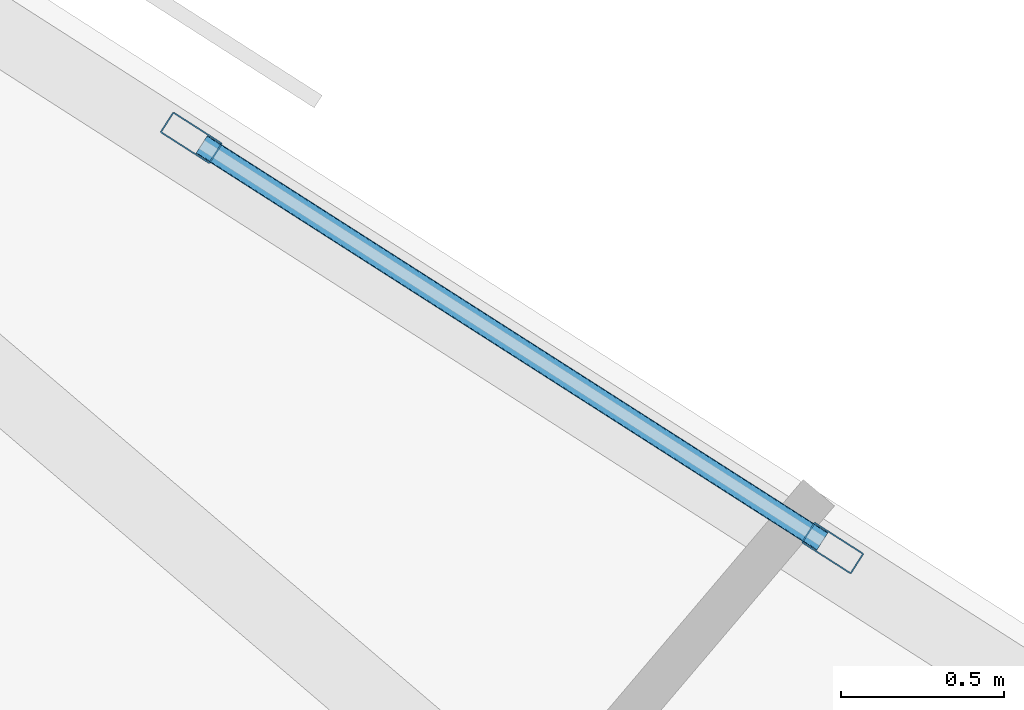
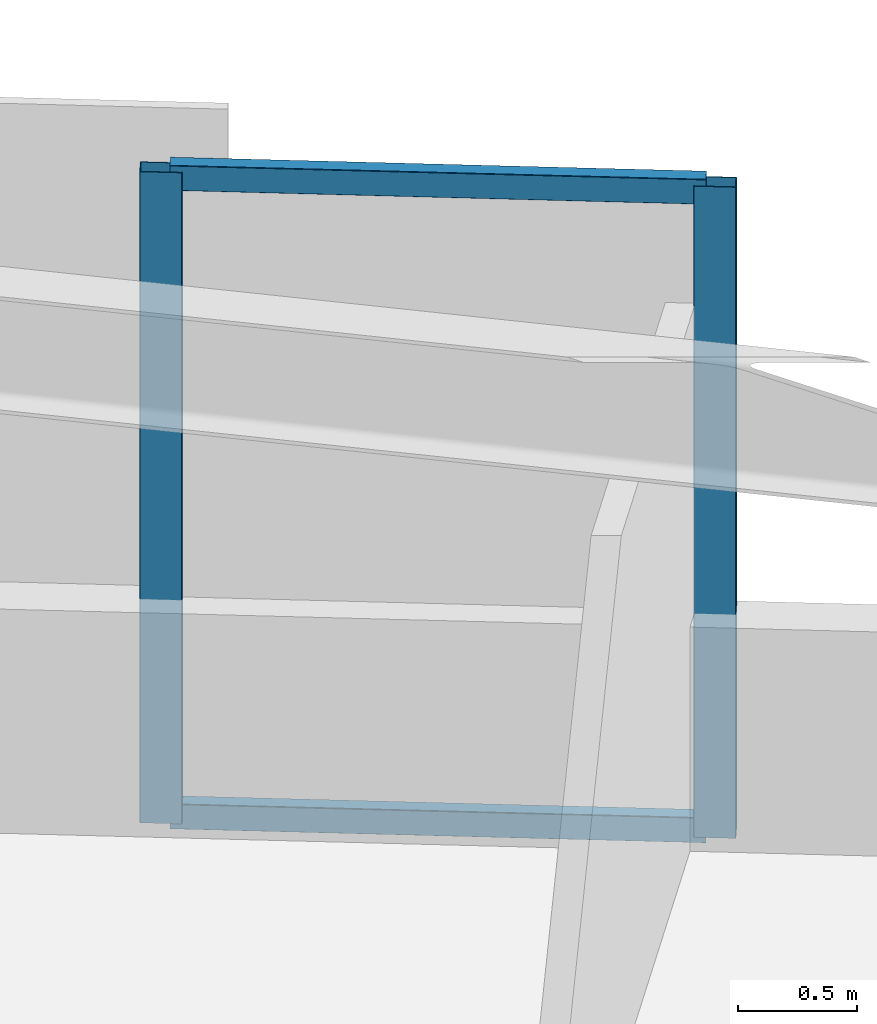
# One storey, part 2 of 16: 4 members, 1 element without a shape of its own.
"""IFC4 building model written with IfcOpenShell, lengths in metres."""

from ifc_helpers import new_model, si_unit, direction, frame, origin, origin_2d, place, context, subcontext, project, spatial, hollow_rectangle, extrude, material, material_profile, profile_set, type_object, element, aggregate, save


model = new_model("IFC4")

# Units and contexts
model_context = context("Model", 3, precision=1e-05, world=origin(), true_north=direction((0.0, 1.0)))
body_context = subcontext(model_context, "Body", "Model", "MODEL_VIEW")
ifc_project = project(units=[si_unit("LENGTHUNIT", "METRE"), si_unit("AREAUNIT", "SQUARE_METRE"), si_unit("VOLUMEUNIT", "CUBIC_METRE"), si_unit("PLANEANGLEUNIT", "RADIAN"), si_unit("MASSUNIT", "GRAM", prefix="KILO")], contexts=[model_context])

# Site, building, storey
site_placement = place(None, origin())
site = spatial("IfcSite", under=ifc_project, at=site_placement, CompositionType="ELEMENT")
building_placement = place(site_placement, origin())
building = spatial("IfcBuilding", under=site, at=building_placement, Name="Narakoshi Arena Tower", CompositionType="ELEMENT")
storey_placement = place(building_placement, frame((0.0, 0.0, 81.300048828125)))
storey = spatial("IfcBuildingStorey", under=building, at=storey_placement, Name="L21", CompositionType="ELEMENT", Elevation=81.300048828125)

# Curtain wall, members
ifc_material = material(Name="Anodised bronze aluminium 6063-T6", Category="aluminium")
curtain_wall_type = type_object("IfcCurtainWallType", Name="CW-HYP-LOW", PredefinedType="NOTDEFINED", material=ifc_material)
curtain_wall_placement = place(storey_placement, origin())
curtain_wall = element("IfcCurtainWall", 1, at=curtain_wall_placement, inside=storey, type_object=curtain_wall_type, Name="L21 Folded Hypotenuse Curtain Wall 2-1", PredefinedType="NOTDEFINED")
ifc_material_profile_1 = material_profile(ifc_material, hollow_rectangle(XDim=0.074951171875, YDim=0.179931640625, WallThickness=0.00390625, OuterFilletRadius=0.0048828125, at=origin_2d()), Name="MUL180x75x4")
ifc_profile_set_1 = profile_set([ifc_material_profile_1], Name="Anodised bronze aluminium 6063-T6")
member_type_1 = type_object("IfcMemberType", Name="MEM-MUL-180", PredefinedType="MULLION", material=ifc_profile_set_1)
member_1_placement = place(storey_placement, frame((91.90234375, 60.801025390625, 0.0), z_axis=(0.0, 0.0, 1.0), x_axis=(-0.538822365864, -0.842419407448, 0.0)))
member_1 = element("IfcMember", 2, at=member_1_placement, type_object=member_type_1, Name="CW-01 mullion 1", PredefinedType="MULLION", context=body_context, shape_type="SweptSolid", body=[
    extrude(hollow_rectangle(XDim=0.074951171875, YDim=0.179931640625, WallThickness=0.00390625, OuterFilletRadius=0.0048828125, at=origin_2d()), origin(), (0.0, 0.0, 1.0), 3.33984375),
])
member_2_placement = place(storey_placement, frame((89.93994140625, 62.056396484375, 0.0), z_axis=(0.0, 0.0, 1.0), x_axis=(-0.538822365864, -0.842419407448, 0.0)))
member_2 = element("IfcMember", 3, at=member_2_placement, type_object=member_type_1, Name="CW-01 mullion 2", PredefinedType="MULLION", context=body_context, shape_type="SweptSolid", body=[
    extrude(hollow_rectangle(XDim=0.074951171875, YDim=0.179931640625, WallThickness=0.00390625, OuterFilletRadius=0.0048828125, at=origin_2d()), origin(), (0.0, 0.0, 1.0), 3.33984375),
])
ifc_material_profile_2 = material_profile(ifc_material, hollow_rectangle(XDim=0.06494140625, YDim=0.1298828125, WallThickness=0.00390625, OuterFilletRadius=0.0048828125, at=origin_2d()), Name="TRN130x65x4")
ifc_profile_set_2 = profile_set([ifc_material_profile_2], Name="Anodised bronze aluminium 6063-T6")
member_type_2 = type_object("IfcMemberType", Name="MEM-TRN-130", PredefinedType="USERDEFINED", material=ifc_profile_set_2)
member_3_placement = place(storey_placement, frame((91.870849609375, 60.8212890625, 0.032470703125), z_axis=(-0.842397246246, 0.538857012125, 0.0), x_axis=(-0.538857012125, -0.842397246246, 0.0)))
member_3 = element("IfcMember", 4, at=member_3_placement, type_object=member_type_2, Name="CW-01 transom 1.1", ObjectType="TRANSOM", PredefinedType="USERDEFINED", context=body_context, shape_type="SweptSolid", body=[
    extrude(hollow_rectangle(XDim=0.06494140625, YDim=0.1298828125, WallThickness=0.00390625, OuterFilletRadius=0.0048828125, at=origin_2d()), origin(), (0.0, 0.0, 1.0), 2.25439453125),
])
member_4_placement = place(storey_placement, frame((91.870849609375, 60.8212890625, 3.307373046875), z_axis=(-0.842397246246, 0.538857012125, 0.0), x_axis=(-0.538857012125, -0.842397246246, 0.0)))
member_4 = element("IfcMember", 5, at=member_4_placement, type_object=member_type_2, Name="CW-01 transom 1.2", ObjectType="TRANSOM", PredefinedType="USERDEFINED", context=body_context, shape_type="SweptSolid", body=[
    extrude(hollow_rectangle(XDim=0.06494140625, YDim=0.1298828125, WallThickness=0.00390625, OuterFilletRadius=0.0048828125, at=origin_2d()), origin(), (0.0, 0.0, 1.0), 2.25439453125),
])
aggregate(curtain_wall, [member_1, member_2, member_3, member_4])

save(model, "model.ifc")
